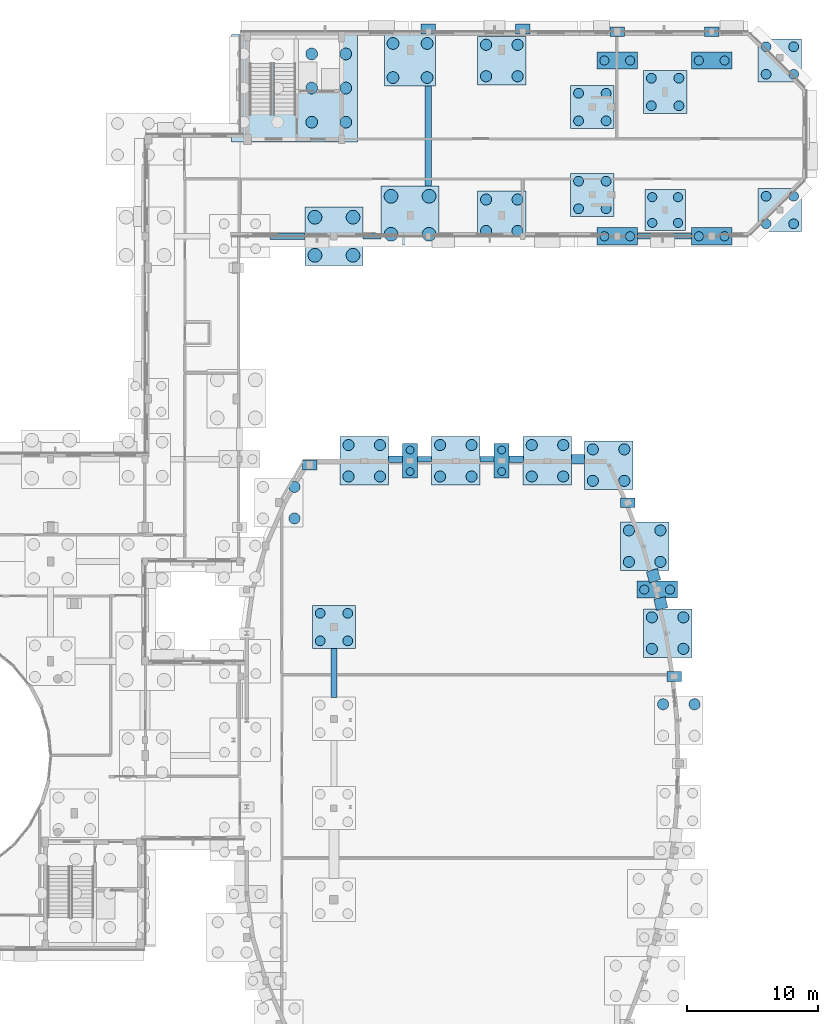
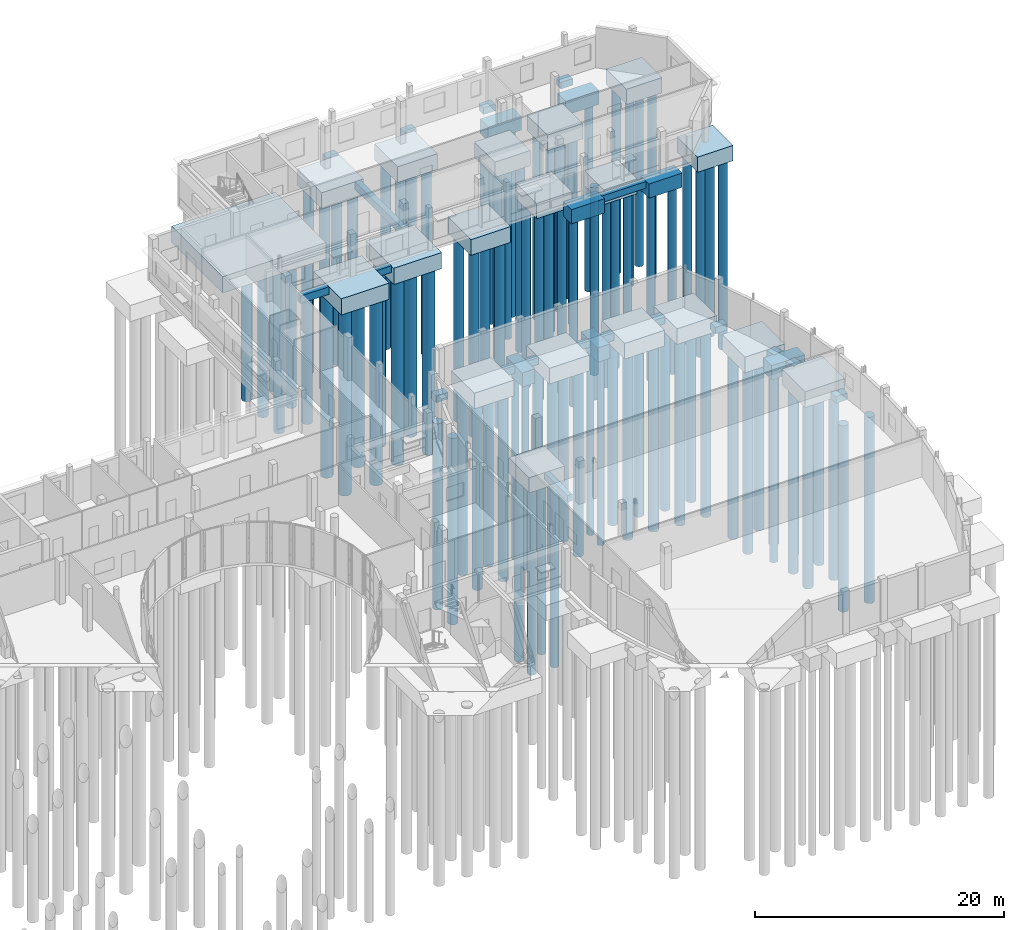
# One storey, part 9 of 93: 96 piles, 45 footings.
"""IFC4 building model written with IfcOpenShell, lengths in metres."""

import ifcopenshell
import ifcopenshell.guid

model = None  # the IFC model being written
_history = None  # IfcOwnerHistory: only IFC2X3 demands one
_inside = {}  # id of a spatial element -> (the spatial element, [elements in it])
_under = {}  # id of a project, library or spatial element -> (it, [spatial elements below it])
_declared = {}  # id of a project -> (the project, [libraries it declares])
_typed = {}  # id of a type object -> (the type object, [elements of that type])
_made_of = {}  # id of a material, layer set ... -> (it, [elements and type objects made of it])


def new_model(schema):
    """Start an empty IFC model of exactly this schema.

    Asked for "IFC4X3", IfcOpenShell would pick the latest addendum, in which some entities
    have other attributes; the version numbers below select the first issue.
    IFC2X3 requires an IfcOwnerHistory on every rooted entity: one is made here for all.
    """
    global model, _history
    if schema == "IFC4X3":
        model = ifcopenshell.file(schema_version=(4, 3, 0, 0))
    else:
        model = ifcopenshell.file(schema=schema)
    _inside.clear()
    _under.clear()
    _declared.clear()
    _typed.clear()
    _made_of.clear()
    _history = None
    if model.schema == "IFC2X3":
        org = make("IfcOrganization", Name="unknown")
        user = make(
            "IfcPersonAndOrganization",
            ThePerson=make("IfcPerson", FamilyName="unknown"),
            TheOrganization=org,
        )
        app = make(
            "IfcApplication",
            ApplicationDeveloper=org,
            Version="unknown",
            ApplicationFullName="unknown",
            ApplicationIdentifier="unknown",
        )
        _history = make(
            "IfcOwnerHistory",
            OwningUser=user,
            OwningApplication=app,
            ChangeAction="ADDED",
            CreationDate=0,
        )
    return model


def make(cls, **values):
    """One entity of the class cls with the attributes given. An attribute that is None is left unset."""
    return model.create_entity(
        cls, **{name: value for name, value in values.items() if value is not None}
    )


def rooted(cls, **values):
    """An entity with a GlobalId (a new one), such as an element, a storey or a relation."""
    return make(cls, GlobalId=ifcopenshell.guid.new(), OwnerHistory=_history, **values)


def si_unit(unit_type, name, prefix=None):
    """IfcSIUnit, for example si_unit("LENGTHUNIT", "METRE", prefix="MILLI")."""
    return make("IfcSIUnit", UnitType=unit_type, Prefix=prefix, Name=name)


def assignment(units):
    """IfcUnitAssignment: the units of a project."""
    return None if units is None else make("IfcUnitAssignment", Units=units)


def point(xyz):
    """IfcCartesianPoint."""
    return None if xyz is None else make("IfcCartesianPoint", Coordinates=xyz)


def direction(xyz):
    """IfcDirection."""
    return None if xyz is None else make("IfcDirection", DirectionRatios=xyz)


def frame(location, z_axis=None, x_axis=None):
    """IfcAxis2Placement3D, a coordinate frame: its origin and axes. An axis left out is left unset."""
    return make(
        "IfcAxis2Placement3D",
        Location=point(location),
        Axis=direction(z_axis),
        RefDirection=direction(x_axis),
    )


def frame_2d(location, x_axis=None):
    """IfcAxis2Placement2D, a coordinate frame in the plane: its origin and x axis."""
    return make(
        "IfcAxis2Placement2D", Location=point(location), RefDirection=direction(x_axis)
    )


def origin():
    """The frame at (0, 0, 0) with its axes left unset."""
    return frame((0.0, 0.0, 0.0))


def origin_2d():
    """The frame at (0, 0) in the plane with its x axis left unset."""
    return frame_2d((0.0, 0.0))


def place(relative_to, where):
    """IfcLocalPlacement: puts the frame where relative to a parent placement (None: the world)."""
    return make(
        "IfcLocalPlacement", PlacementRelTo=relative_to, RelativePlacement=where
    )


def context(
    kind, dimensions, precision=None, world=None, true_north=None, identifier=None
):
    """IfcGeometricRepresentationContext, for example the 3D "Model" context."""
    return make(
        "IfcGeometricRepresentationContext",
        ContextIdentifier=identifier,
        ContextType=kind,
        CoordinateSpaceDimension=dimensions,
        Precision=precision,
        WorldCoordinateSystem=world,
        TrueNorth=true_north,
    )


def subcontext(parent, identifier, kind, view, scale=None):
    """IfcGeometricRepresentationSubContext, for example "Body" below "Model"."""
    return make(
        "IfcGeometricRepresentationSubContext",
        ContextIdentifier=identifier,
        ContextType=kind,
        ParentContext=parent,
        TargetScale=scale,
        TargetView=view,
    )


def project(units=None, contexts=None):
    """IfcProject with its units and contexts."""
    return rooted(
        "IfcProject",
        Name="project",
        RepresentationContexts=contexts,
        UnitsInContext=assignment(units),
    )


def spatial(cls, under=None, at=None, **own):
    """A site, building, storey or space (cls), placed at a placement, below another one or the project."""
    s = rooted(cls, ObjectPlacement=at, **own)
    if under is not None:
        _under.setdefault(under.id(), (under, []))[1].append(s)
    return s


def profile(cls, at=None, kind="AREA", **sizes):
    """A parametric profile (cls). Its sizes go by their IFC names, for example OverallWidth=200.0."""
    return make(cls, ProfileType=kind, Position=at, **sizes)


def rectangle(**sizes):
    """IfcRectangleProfileDef."""
    return profile("IfcRectangleProfileDef", **sizes)


def circle(**sizes):
    """IfcCircleProfileDef."""
    return profile("IfcCircleProfileDef", **sizes)


def extrude(swept, where, along, depth):
    """IfcExtrudedAreaSolid: the profile swept, set in the frame where, extruded along a direction by depth."""
    return make(
        "IfcExtrudedAreaSolid",
        SweptArea=swept,
        Position=where,
        ExtrudedDirection=direction(along),
        Depth=depth,
    )


def shape(context_of_items, identifier, shape_type, items):
    """IfcShapeRepresentation: the items that make up one representation, for example the "Body"."""
    return make(
        "IfcShapeRepresentation",
        ContextOfItems=context_of_items,
        RepresentationIdentifier=identifier,
        RepresentationType=shape_type,
        Items=items,
    )


def material(Name=None, Category=None):
    """IfcMaterial."""
    return make("IfcMaterial", Name=Name, Category=Category)


def material_profile(
    of_material, cross_section, Name=None, Category=None, Priority=None
):
    """IfcMaterialProfile: a cross section and its material."""
    return make(
        "IfcMaterialProfile",
        Name=Name,
        Material=of_material,
        Profile=cross_section,
        Priority=Priority,
        Category=Category,
    )


def profile_set(profiles, Name=None, composite=None):
    """IfcMaterialProfileSet."""
    return make(
        "IfcMaterialProfileSet",
        Name=Name,
        MaterialProfiles=profiles,
        CompositeProfile=composite,
    )


def made_of(thing, what):
    """Note that an element or type object is made of a material, layer set ...; save() writes the relation."""
    if what is not None:
        _made_of.setdefault(what.id(), (what, []))[1].append(thing)
    return thing


def type_object(cls, material=None, **own):
    """A type object (cls), such as IfcWallType, which elements share."""
    return made_of(rooted(cls, **own), material)


def element(
    cls,
    number,
    at=None,
    inside=None,
    cuts=None,
    type_object=None,
    material=None,
    context=None,
    identifier="Body",
    shape_type=None,
    held_by="IfcProductDefinitionShape",
    body=None,
    shapes=None,
    **own,
):
    """One element of the class cls, such as IfcWall. Its Tag is "e" and its number.

    at: its placement. inside: the storey or other place that contains it. cuts: it is an
    opening in that element (IfcRelVoidsElement). A single representation is given by context,
    identifier, shape_type and body (its items); several are given by shapes. held_by: the class
    of the entity that holds the representations. save() writes the other relations.
    """
    e = rooted(cls, Tag="e%d" % number, ObjectPlacement=at, **own)
    if body is not None:
        shapes = [shape(context, identifier, shape_type, body)]
    if shapes is not None:
        e.Representation = make(held_by, Representations=shapes)
    if inside is not None:
        _inside.setdefault(inside.id(), (inside, []))[1].append(e)
    if cuts is not None:
        rooted(
            "IfcRelVoidsElement", RelatingBuildingElement=cuts, RelatedOpeningElement=e
        )
    if type_object is not None:
        _typed.setdefault(type_object.id(), (type_object, []))[1].append(e)
    return made_of(e, material)


def aggregate(whole, parts):
    """IfcRelAggregates: a whole, such as a stair, and the parts it consists of."""
    return rooted("IfcRelAggregates", RelatingObject=whole, RelatedObjects=parts)


def save(model, path):
    """Write the relations noted so far, then the file.

    IfcRelAggregates (storeys below a building ...), IfcRelContainedInSpatialStructure (elements
    in a storey), IfcRelDefinesByType, IfcRelAssociatesMaterial and IfcRelDeclares: one each for
    every whole, place, type object, material and project.
    """
    for whole, parts in _under.values():
        aggregate(whole, parts)
    for where, things in _inside.values():
        rooted(
            "IfcRelContainedInSpatialStructure",
            RelatedElements=things,
            RelatingStructure=where,
        )
    for kind, things in _typed.values():
        rooted("IfcRelDefinesByType", RelatedObjects=things, RelatingType=kind)
    for what, things in _made_of.values():
        rooted("IfcRelAssociatesMaterial", RelatedObjects=things, RelatingMaterial=what)
    for by, libraries in _declared.values():
        rooted("IfcRelDeclares", RelatingContext=by, RelatedDefinitions=libraries)
    model.write(path)


model = new_model("IFC4")

# Units and contexts
model_context = context("Model", 3, precision=1e-05, world=origin(), true_north=direction((0.0, 1.0)))
body_context = subcontext(model_context, "Body", "Model", "MODEL_VIEW")
ifc_project = project(units=[si_unit("LENGTHUNIT", "METRE"), si_unit("AREAUNIT", "SQUARE_METRE"), si_unit("VOLUMEUNIT", "CUBIC_METRE"), si_unit("PLANEANGLEUNIT", "RADIAN"), si_unit("MASSUNIT", "GRAM", prefix="KILO")], contexts=[model_context])

# Site, building, storey
site_placement = place(None, origin())
site = spatial("IfcSite", under=ifc_project, at=site_placement, CompositionType="ELEMENT")
building_placement = place(site_placement, origin())
building = spatial("IfcBuilding", under=site, at=building_placement, Name="Kelanivale Promenade Academy", CompositionType="ELEMENT")
storey_placement = place(building_placement, origin())
storey = spatial("IfcBuildingStorey", under=building, at=storey_placement, Name="L00", CompositionType="ELEMENT", Elevation=0.0)

# Piles
ifc_material = material(Name="Concrete C35/45", Category="concrete")
ifc_material_profile_1 = material_profile(ifc_material, circle(Radius=0.300048828125, at=origin_2d()), Name="BORED PILE D600")
ifc_profile_set_1 = profile_set([ifc_material_profile_1], Name="Concrete C35/45")
pile_type_1 = type_object("IfcPileType", Name="BP-1 BORED PILE D600", PredefinedType="BORED", material=ifc_profile_set_1)
for number, where, z_axis, x_axis, name in (
    (1, (135.801025390625, 78.4599609375, -1.550048828125), (0.0, 0.0, -1.0), (1.0, 0.0, 0.0), "Bored pile FC-159-BP1-P01"),
    (2, (135.801025390625, 80.10009765625, -1.550048828125), (0.0, 0.0, -1.0), (1.0, 0.0, 0.0), "Bored pile FC-159-BP1-P02"),
    (3, (142.787109375, 78.4599609375, -1.550048828125), (0.0, 0.0, -1.0), (1.0, 0.0, 0.0), "Bored pile FC-163-BP1-P01"),
    (4, (142.787109375, 80.10009765625, -1.550048828125), (0.0, 0.0, -1.0), (1.0, 0.0, 0.0), "Bored pile FC-163-BP1-P02"),
):
    element("IfcPile", number, at=place(storey_placement, frame(where, z_axis=z_axis, x_axis=x_axis)), inside=storey, type_object=pile_type_1, Name=name, PredefinedType="BORED", context=body_context, shape_type="SweptSolid", body=[
        extrude(circle(Radius=0.300048828125, at=origin_2d()), origin(), (0.0, 0.0, 1.0), 18.449951171875),
    ])
ifc_material_profile_2 = material_profile(ifc_material, circle(Radius=0.35009765625, at=origin_2d()), Name="BORED PILE D700")
ifc_profile_set_2 = profile_set([ifc_material_profile_2], Name="Concrete C35/45")
pile_type_2 = type_object("IfcPileType", Name="BP-2 BORED PILE D700", PredefinedType="BORED", material=ifc_profile_set_2)
for number, where, z_axis, x_axis, name in (
    (5, (150.6201171875, 96.39990234375, -1.5), (0.0, 0.0, -1.0), (1.0, 0.0, 0.0), "Bored pile FC-172-BP2-P01"),
    (6, (152.580078125, 96.39990234375, -1.5), (0.0, 0.0, -1.0), (1.0, 0.0, 0.0), "Bored pile FC-172-BP2-P02"),
    (7, (150.6201171875, 109.800048828125, -1.5), (0.0, 0.0, -1.0), (1.0, 0.0, 0.0), "Bored pile FC-173-BP2-P01"),
    (8, (152.580078125, 109.800048828125, -1.5), (0.0, 0.0, -1.0), (1.0, 0.0, 0.0), "Bored pile FC-173-BP2-P02"),
):
    element("IfcPile", number, at=place(storey_placement, frame(where, z_axis=z_axis, x_axis=x_axis)), inside=storey, type_object=pile_type_2, Name=name, PredefinedType="BORED", context=body_context, shape_type="SweptSolid", body=[
        extrude(circle(Radius=0.35009765625, at=origin_2d()), origin(), (0.0, 0.0, 1.0), 18.5),
    ])
for number, where, z_axis, x_axis, name in (
    (9, (153.662109375, 69.45703125, -1.550048828125), (0.0, 0.0, -1.0), (1.0, 0.0, 0.0), "Bored pile FC-177-BP2-P01"),
    (10, (155.6220703125, 69.45703125, -1.550048828125), (0.0, 0.0, -1.0), (1.0, 0.0, 0.0), "Bored pile FC-177-BP2-P02"),
    (11, (154.27001953125, 97.419921875, -1.550048828125), (0.0, 0.0, -1.0), (1.0, 0.0, 0.0), "Bored pile FC-178-BP2-P01"),
    (12, (154.27001953125, 99.3798828125, -1.550048828125), (0.0, 0.0, -1.0), (1.0, 0.0, 0.0), "Bored pile FC-178-BP2-P02"),
    (13, (156.22998046875, 97.419921875, -1.550048828125), (0.0, 0.0, -1.0), (1.0, 0.0, 0.0), "Bored pile FC-178-BP2-P03"),
    (14, (156.22998046875, 99.3798828125, -1.550048828125), (0.0, 0.0, -1.0), (1.0, 0.0, 0.0), "Bored pile FC-178-BP2-P04"),
):
    element("IfcPile", number, at=place(storey_placement, frame(where, z_axis=z_axis, x_axis=x_axis)), inside=storey, type_object=pile_type_2, Name=name, PredefinedType="BORED", context=body_context, shape_type="SweptSolid", body=[
        extrude(circle(Radius=0.35009765625, at=origin_2d()), origin(), (0.0, 0.0, 1.0), 18.449951171875),
    ])
for number, where, z_axis, x_axis, name in (
    (15, (157.820068359375, 96.39990234375, -1.5), (0.0, 0.0, -1.0), (1.0, 0.0, 0.0), "Bored pile FC-185-BP2-P01"),
    (16, (159.780029296875, 96.39990234375, -1.5), (0.0, 0.0, -1.0), (1.0, 0.0, 0.0), "Bored pile FC-185-BP2-P02"),
    (17, (157.820068359375, 109.800048828125, -1.5), (0.0, 0.0, -1.0), (1.0, 0.0, 0.0), "Bored pile FC-186-BP2-P01"),
    (18, (159.780029296875, 109.800048828125, -1.5), (0.0, 0.0, -1.0), (1.0, 0.0, 0.0), "Bored pile FC-186-BP2-P02"),
):
    element("IfcPile", number, at=place(storey_placement, frame(where, z_axis=z_axis, x_axis=x_axis)), inside=storey, type_object=pile_type_2, Name=name, PredefinedType="BORED", context=body_context, shape_type="SweptSolid", body=[
        extrude(circle(Radius=0.35009765625, at=origin_2d()), origin(), (0.0, 0.0, 1.0), 18.5),
    ])
ifc_material_profile_3 = material_profile(ifc_material, circle(Radius=0.375, at=origin_2d()), Name="BORED PILE D750")
ifc_profile_set_3 = profile_set([ifc_material_profile_3], Name="Concrete C35/45")
pile_type_3 = type_object("IfcPileType", Name="BP-3 BORED PILE D750", PredefinedType="BORED", material=ifc_profile_set_3)
for number, where, z_axis, x_axis, name in (
    (19, (128.949951171875, 65.550048828125, -1.64990234375), (0.0, 0.0, -1.0), (1.0, 0.0, 0.0), "Bored pile FC-152-BP3-P01"),
    (20, (128.949951171875, 67.64990234375, -1.64990234375), (0.0, 0.0, -1.0), (1.0, 0.0, 0.0), "Bored pile FC-152-BP3-P02"),
    (21, (131.050048828125, 65.550048828125, -1.64990234375), (0.0, 0.0, -1.0), (1.0, 0.0, 0.0), "Bored pile FC-152-BP3-P03"),
    (22, (131.050048828125, 67.64990234375, -1.64990234375), (0.0, 0.0, -1.0), (1.0, 0.0, 0.0), "Bored pile FC-152-BP3-P04"),
):
    element("IfcPile", number, at=place(storey_placement, frame(where, z_axis=z_axis, x_axis=x_axis)), inside=storey, type_object=pile_type_3, Name=name, PredefinedType="BORED", context=body_context, shape_type="SweptSolid", body=[
        extrude(circle(Radius=0.375, at=origin_2d()), origin(), (0.0, 0.0, 1.0), 18.35009765625),
    ])
for number, where, z_axis, x_axis, name in (
    (23, (148.64990234375, 98.5, -1.60009765625), (0.0, 0.0, -1.0), (1.0, 0.0, 0.0), "Bored pile FC-168-BP3-P01"),
    (24, (148.64990234375, 100.60009765625, -1.60009765625), (0.0, 0.0, -1.0), (1.0, 0.0, 0.0), "Bored pile FC-168-BP3-P02"),
    (25, (150.75, 98.5, -1.60009765625), (0.0, 0.0, -1.0), (1.0, 0.0, 0.0), "Bored pile FC-168-BP3-P03"),
    (26, (150.75, 100.60009765625, -1.60009765625), (0.0, 0.0, -1.0), (1.0, 0.0, 0.0), "Bored pile FC-168-BP3-P04"),
    (27, (148.64990234375, 105.199951171875, -1.60009765625), (0.0, 0.0, -1.0), (1.0, 0.0, 0.0), "Bored pile FC-169-BP3-P01"),
    (28, (148.64990234375, 107.300048828125, -1.60009765625), (0.0, 0.0, -1.0), (1.0, 0.0, 0.0), "Bored pile FC-169-BP3-P02"),
    (29, (150.75, 105.199951171875, -1.60009765625), (0.0, 0.0, -1.0), (1.0, 0.0, 0.0), "Bored pile FC-169-BP3-P03"),
    (30, (150.75, 107.300048828125, -1.60009765625), (0.0, 0.0, -1.0), (1.0, 0.0, 0.0), "Bored pile FC-169-BP3-P04"),
    (31, (154.199951171875, 106.35009765625, -1.60009765625), (0.0, 0.0, -1.0), (1.0, 0.0, 0.0), "Bored pile FC-179-BP3-P01"),
    (32, (154.199951171875, 108.449951171875, -1.60009765625), (0.0, 0.0, -1.0), (1.0, 0.0, 0.0), "Bored pile FC-179-BP3-P02"),
    (33, (156.300048828125, 106.35009765625, -1.60009765625), (0.0, 0.0, -1.0), (1.0, 0.0, 0.0), "Bored pile FC-179-BP3-P03"),
    (34, (156.300048828125, 108.449951171875, -1.60009765625), (0.0, 0.0, -1.0), (1.0, 0.0, 0.0), "Bored pile FC-179-BP3-P04"),
):
    element("IfcPile", number, at=place(storey_placement, frame(where, z_axis=z_axis, x_axis=x_axis)), inside=storey, type_object=pile_type_3, Name=name, PredefinedType="BORED", context=body_context, shape_type="SweptSolid", body=[
        extrude(circle(Radius=0.375, at=origin_2d()), origin(), (0.0, 0.0, 1.0), 18.39990234375),
    ])
for number, where, z_axis, x_axis, name in (
    (35, (162.949951171875, 97.35009765625, -1.35009765625), (0.0, 0.0, -1.0), (1.0, 0.0, 0.0), "Bored pile FC-187-BP3-P01"),
    (36, (162.949951171875, 99.449951171875, -1.35009765625), (0.0, 0.0, -1.0), (1.0, 0.0, 0.0), "Bored pile FC-187-BP3-P02"),
    (37, (165.050048828125, 97.35009765625, -1.35009765625), (0.0, 0.0, -1.0), (1.0, 0.0, 0.0), "Bored pile FC-187-BP3-P03"),
    (38, (165.050048828125, 99.449951171875, -1.35009765625), (0.0, 0.0, -1.0), (1.0, 0.0, 0.0), "Bored pile FC-187-BP3-P04"),
):
    element("IfcPile", number, at=place(storey_placement, frame(where, z_axis=z_axis, x_axis=x_axis)), inside=storey, type_object=pile_type_3, Name=name, PredefinedType="BORED", context=body_context, shape_type="SweptSolid", body=[
        extrude(circle(Radius=0.375, at=origin_2d()), origin(), (0.0, 0.0, 1.0), 18.64990234375),
    ])
for number, where, z_axis, x_axis, name in (
    (39, (162.949951171875, 108.75, -1.60009765625), (0.0, 0.0, -1.0), (1.0, 0.0, 0.0), "Bored pile FC-188-BP3-P01"),
    (40, (162.949951171875, 110.85009765625, -1.60009765625), (0.0, 0.0, -1.0), (1.0, 0.0, 0.0), "Bored pile FC-188-BP3-P02"),
    (41, (165.050048828125, 108.75, -1.60009765625), (0.0, 0.0, -1.0), (1.0, 0.0, 0.0), "Bored pile FC-188-BP3-P03"),
    (42, (165.050048828125, 110.85009765625, -1.60009765625), (0.0, 0.0, -1.0), (1.0, 0.0, 0.0), "Bored pile FC-188-BP3-P04"),
):
    element("IfcPile", number, at=place(storey_placement, frame(where, z_axis=z_axis, x_axis=x_axis)), inside=storey, type_object=pile_type_3, Name=name, PredefinedType="BORED", context=body_context, shape_type="SweptSolid", body=[
        extrude(circle(Radius=0.375, at=origin_2d()), origin(), (0.0, 0.0, 1.0), 18.39990234375),
    ])
ifc_material_profile_4 = material_profile(ifc_material, circle(Radius=0.425048828125, at=origin_2d()), Name="BORED PILE D850")
ifc_profile_set_4 = profile_set([ifc_material_profile_4], Name="Concrete C35/45")
pile_type_4 = type_object("IfcPileType", Name="BP-4 BORED PILE D850", PredefinedType="BORED", material=ifc_profile_set_4)
for number, where, z_axis, x_axis, name in (
    (43, (126.989990234375, 74.885986328125, -1.699951171875), (0.0, 0.0, -1.0), (1.0, 0.0, 0.0), "Bored pile FC-148-BP4-P03"),
    (44, (126.989990234375, 77.285888671875, -1.699951171875), (0.0, 0.0, -1.0), (1.0, 0.0, 0.0), "Bored pile FC-148-BP4-P04"),
    (45, (131.10791015625, 78.080078125, -1.699951171875), (0.0, 0.0, -1.0), (1.0, 0.0, 0.0), "Bored pile FC-155-BP4-P01"),
    (46, (131.10791015625, 80.47998046875, -1.699951171875), (0.0, 0.0, -1.0), (1.0, 0.0, 0.0), "Bored pile FC-155-BP4-P02"),
    (47, (133.508056640625, 78.080078125, -1.699951171875), (0.0, 0.0, -1.0), (1.0, 0.0, 0.0), "Bored pile FC-155-BP4-P03"),
    (48, (133.508056640625, 80.47998046875, -1.699951171875), (0.0, 0.0, -1.0), (1.0, 0.0, 0.0), "Bored pile FC-155-BP4-P04"),
    (49, (138.093994140625, 78.080078125, -1.699951171875), (0.0, 0.0, -1.0), (1.0, 0.0, 0.0), "Bored pile FC-161-BP4-P01"),
    (50, (138.093994140625, 80.47998046875, -1.699951171875), (0.0, 0.0, -1.0), (1.0, 0.0, 0.0), "Bored pile FC-161-BP4-P02"),
    (51, (140.493896484375, 78.080078125, -1.699951171875), (0.0, 0.0, -1.0), (1.0, 0.0, 0.0), "Bored pile FC-161-BP4-P03"),
    (52, (140.493896484375, 80.47998046875, -1.699951171875), (0.0, 0.0, -1.0), (1.0, 0.0, 0.0), "Bored pile FC-161-BP4-P04"),
):
    element("IfcPile", number, at=place(storey_placement, frame(where, z_axis=z_axis, x_axis=x_axis)), inside=storey, type_object=pile_type_4, Name=name, PredefinedType="BORED", context=body_context, shape_type="SweptSolid", body=[
        extrude(circle(Radius=0.425048828125, at=origin_2d()), origin(), (0.0, 0.0, 1.0), 18.300048828125),
    ])
for number, where, z_axis, x_axis, name in (
    (53, (141.60009765625, 96.800048828125, -1.64990234375), (0.0, 0.0, -1.0), (1.0, 0.0, 0.0), "Bored pile FC-164-BP4-P01"),
    (54, (141.60009765625, 99.199951171875, -1.64990234375), (0.0, 0.0, -1.0), (1.0, 0.0, 0.0), "Bored pile FC-164-BP4-P02"),
    (55, (144.0, 96.800048828125, -1.64990234375), (0.0, 0.0, -1.0), (1.0, 0.0, 0.0), "Bored pile FC-164-BP4-P03"),
    (56, (144.0, 99.199951171875, -1.64990234375), (0.0, 0.0, -1.0), (1.0, 0.0, 0.0), "Bored pile FC-164-BP4-P04"),
    (57, (141.60009765625, 108.60009765625, -1.64990234375), (0.0, 0.0, -1.0), (1.0, 0.0, 0.0), "Bored pile FC-165-BP4-P01"),
    (58, (141.60009765625, 111.0, -1.64990234375), (0.0, 0.0, -1.0), (1.0, 0.0, 0.0), "Bored pile FC-165-BP4-P02"),
    (59, (144.0, 108.60009765625, -1.64990234375), (0.0, 0.0, -1.0), (1.0, 0.0, 0.0), "Bored pile FC-165-BP4-P03"),
    (60, (144.0, 111.0, -1.64990234375), (0.0, 0.0, -1.0), (1.0, 0.0, 0.0), "Bored pile FC-165-BP4-P04"),
):
    element("IfcPile", number, at=place(storey_placement, frame(where, z_axis=z_axis, x_axis=x_axis)), inside=storey, type_object=pile_type_4, Name=name, PredefinedType="BORED", context=body_context, shape_type="SweptSolid", body=[
        extrude(circle(Radius=0.425048828125, at=origin_2d()), origin(), (0.0, 0.0, 1.0), 18.35009765625),
    ])
for number, where, z_axis, x_axis, name in (
    (61, (145.080078125, 78.080078125, -1.699951171875), (0.0, 0.0, -1.0), (1.0, 0.0, 0.0), "Bored pile FC-167-BP4-P01"),
    (62, (145.080078125, 80.47998046875, -1.699951171875), (0.0, 0.0, -1.0), (1.0, 0.0, 0.0), "Bored pile FC-167-BP4-P02"),
    (63, (147.47998046875, 78.080078125, -1.699951171875), (0.0, 0.0, -1.0), (1.0, 0.0, 0.0), "Bored pile FC-167-BP4-P03"),
    (64, (147.47998046875, 80.47998046875, -1.699951171875), (0.0, 0.0, -1.0), (1.0, 0.0, 0.0), "Bored pile FC-167-BP4-P04"),
    (65, (149.738037109375, 77.75, -1.699951171875), (0.0, 0.0, -1.0), (1.0, 0.0, 0.0), "Bored pile FC-171-BP4-P01"),
    (66, (149.738037109375, 80.14990234375, -1.699951171875), (0.0, 0.0, -1.0), (1.0, 0.0, 0.0), "Bored pile FC-171-BP4-P02"),
    (67, (152.137939453125, 77.75, -1.699951171875), (0.0, 0.0, -1.0), (1.0, 0.0, 0.0), "Bored pile FC-171-BP4-P03"),
    (68, (152.137939453125, 80.14990234375, -1.699951171875), (0.0, 0.0, -1.0), (1.0, 0.0, 0.0), "Bored pile FC-171-BP4-P04"),
    (69, (152.489013671875, 71.571044921875, -1.699951171875), (0.0, 0.0, -1.0), (1.0, 0.0, 0.0), "Bored pile FC-175-BP4-P01"),
    (70, (152.489013671875, 73.970947265625, -1.699951171875), (0.0, 0.0, -1.0), (1.0, 0.0, 0.0), "Bored pile FC-175-BP4-P02"),
    (71, (154.888916015625, 71.571044921875, -1.699951171875), (0.0, 0.0, -1.0), (1.0, 0.0, 0.0), "Bored pile FC-175-BP4-P03"),
    (72, (154.888916015625, 73.970947265625, -1.699951171875), (0.0, 0.0, -1.0), (1.0, 0.0, 0.0), "Bored pile FC-175-BP4-P04"),
    (73, (154.240966796875, 64.943115234375, -1.699951171875), (0.0, 0.0, -1.0), (1.0, 0.0, 0.0), "Bored pile FC-181-BP4-P01"),
    (74, (154.240966796875, 67.343017578125, -1.699951171875), (0.0, 0.0, -1.0), (1.0, 0.0, 0.0), "Bored pile FC-181-BP4-P02"),
    (75, (156.64111328125, 64.943115234375, -1.699951171875), (0.0, 0.0, -1.0), (1.0, 0.0, 0.0), "Bored pile FC-181-BP4-P03"),
    (76, (156.64111328125, 67.343017578125, -1.699951171875), (0.0, 0.0, -1.0), (1.0, 0.0, 0.0), "Bored pile FC-181-BP4-P04"),
    (77, (155.093994140625, 60.714111328125, -1.699951171875), (0.0, 0.0, -1.0), (1.0, 0.0, 0.0), "Bored pile FC-184-BP4-P02"),
    (78, (157.493896484375, 60.714111328125, -1.699951171875), (0.0, 0.0, -1.0), (1.0, 0.0, 0.0), "Bored pile FC-184-BP4-P04"),
):
    element("IfcPile", number, at=place(storey_placement, frame(where, z_axis=z_axis, x_axis=x_axis)), inside=storey, type_object=pile_type_4, Name=name, PredefinedType="BORED", context=body_context, shape_type="SweptSolid", body=[
        extrude(circle(Radius=0.425048828125, at=origin_2d()), origin(), (0.0, 0.0, 1.0), 18.300048828125),
    ])
ifc_material_profile_5 = material_profile(ifc_material, circle(Radius=0.449951171875, at=origin_2d()), Name="BORED PILE D900")
ifc_profile_set_5 = profile_set([ifc_material_profile_5], Name="Concrete C35/45")
pile_type_5 = type_object("IfcPileType", Name="BP-5 BORED PILE D900", PredefinedType="BORED", material=ifc_profile_set_5)
for number, where, z_axis, x_axis, name in (
    (79, (128.300048828125, 105.10009765625, -3.300048828125), (0.0, 0.0, -1.0), (1.0, 0.0, 0.0), "Bored pile FC-CORE-05-BP5-P07"),
    (80, (128.300048828125, 107.699951171875, -3.300048828125), (0.0, 0.0, -1.0), (1.0, 0.0, 0.0), "Bored pile FC-CORE-05-BP5-P08"),
    (81, (128.300048828125, 110.300048828125, -3.300048828125), (0.0, 0.0, -1.0), (1.0, 0.0, 0.0), "Bored pile FC-CORE-05-BP5-P09"),
    (82, (130.89990234375, 105.10009765625, -3.300048828125), (0.0, 0.0, -1.0), (1.0, 0.0, 0.0), "Bored pile FC-CORE-05-BP5-P10"),
    (83, (130.89990234375, 107.699951171875, -3.300048828125), (0.0, 0.0, -1.0), (1.0, 0.0, 0.0), "Bored pile FC-CORE-05-BP5-P11"),
    (84, (130.89990234375, 110.300048828125, -3.300048828125), (0.0, 0.0, -1.0), (1.0, 0.0, 0.0), "Bored pile FC-CORE-05-BP5-P12"),
):
    element("IfcPile", number, at=place(storey_placement, frame(where, z_axis=z_axis, x_axis=x_axis)), inside=storey, type_object=pile_type_5, Name=name, PredefinedType="BORED", context=body_context, shape_type="SweptSolid", body=[
        extrude(circle(Radius=0.449951171875, at=origin_2d()), origin(), (0.0, 0.0, 1.0), 16.699951171875),
    ])
for number, where, z_axis, x_axis, name in (
    (85, (134.5, 108.5, -1.699951171875), (0.0, 0.0, -1.0), (1.0, 0.0, 0.0), "Bored pile FC-157-BP5-P01"),
    (86, (134.5, 111.10009765625, -1.699951171875), (0.0, 0.0, -1.0), (1.0, 0.0, 0.0), "Bored pile FC-157-BP5-P02"),
    (87, (137.10009765625, 108.5, -1.699951171875), (0.0, 0.0, -1.0), (1.0, 0.0, 0.0), "Bored pile FC-157-BP5-P03"),
    (88, (137.10009765625, 111.10009765625, -1.699951171875), (0.0, 0.0, -1.0), (1.0, 0.0, 0.0), "Bored pile FC-157-BP5-P04"),
):
    element("IfcPile", number, at=place(storey_placement, frame(where, z_axis=z_axis, x_axis=x_axis)), inside=storey, type_object=pile_type_5, Name=name, PredefinedType="BORED", context=body_context, shape_type="SweptSolid", body=[
        extrude(circle(Radius=0.449951171875, at=origin_2d()), origin(), (0.0, 0.0, 1.0), 18.300048828125),
    ])
ifc_material_profile_6 = material_profile(ifc_material, circle(Radius=0.52490234375, at=origin_2d()), Name="BORED PILE D1050")
ifc_profile_set_6 = profile_set([ifc_material_profile_6], Name="Concrete C35/45")
pile_type_6 = type_object("IfcPileType", Name="BP-6 BORED PILE D1050", PredefinedType="BORED", material=ifc_profile_set_6)
for number, where, z_axis, x_axis, name in (
    (89, (128.550048828125, 94.949951171875, -1.699951171875), (0.0, 0.0, -1.0), (1.0, 0.0, 0.0), "Bored pile FC-153-BP6-P01"),
    (90, (128.550048828125, 97.85009765625, -1.699951171875), (0.0, 0.0, -1.0), (1.0, 0.0, 0.0), "Bored pile FC-153-BP6-P02"),
    (91, (131.449951171875, 94.949951171875, -1.699951171875), (0.0, 0.0, -1.0), (1.0, 0.0, 0.0), "Bored pile FC-153-BP6-P03"),
    (92, (131.449951171875, 97.85009765625, -1.699951171875), (0.0, 0.0, -1.0), (1.0, 0.0, 0.0), "Bored pile FC-153-BP6-P04"),
    (93, (134.35009765625, 96.550048828125, -1.699951171875), (0.0, 0.0, -1.0), (1.0, 0.0, 0.0), "Bored pile FC-156-BP6-P01"),
    (94, (134.35009765625, 99.449951171875, -1.699951171875), (0.0, 0.0, -1.0), (1.0, 0.0, 0.0), "Bored pile FC-156-BP6-P02"),
    (95, (137.25, 96.550048828125, -1.699951171875), (0.0, 0.0, -1.0), (1.0, 0.0, 0.0), "Bored pile FC-156-BP6-P03"),
    (96, (137.25, 99.449951171875, -1.699951171875), (0.0, 0.0, -1.0), (1.0, 0.0, 0.0), "Bored pile FC-156-BP6-P04"),
):
    element("IfcPile", number, at=place(storey_placement, frame(where, z_axis=z_axis, x_axis=x_axis)), inside=storey, type_object=pile_type_6, Name=name, PredefinedType="BORED", context=body_context, shape_type="SweptSolid", body=[
        extrude(circle(Radius=0.52490234375, at=origin_2d()), origin(), (0.0, 0.0, 1.0), 18.300048828125),
    ])

# Footings
footing_type_1 = type_object("IfcFootingType", Name="GB-01 450x650", PredefinedType="FOOTING_BEAM", material=ifc_material)
for number, where, z_axis, x_axis, name in (
    (97, (136.909912109375, 79.39990234375, -0.949951171875), (0.0, 0.0, 1.0), (1.0, 0.0, 0.0), "Ground beam GB-109"),
    (98, (141.677978515625, 79.39990234375, -0.949951171875), (0.0, 0.0, 1.0), (1.0, 0.0, 0.0), "Ground beam GB-110"),
):
    element("IfcFooting", number, at=place(storey_placement, frame(where, z_axis=z_axis, x_axis=x_axis)), inside=storey, type_object=footing_type_1, Name=name, PredefinedType="FOOTING_BEAM", context=body_context, shape_type="SweptSolid", body=[
        extrude(rectangle(XDim=1.077880859375, YDim=0.449951171875, at=origin_2d()), origin(), (0.0, 0.0, 1.0), 0.64990234375),
    ])
footing_1_placement = place(storey_placement, frame((132.89990234375, 96.39990234375, -0.89990234375), z_axis=(0.0, 0.0, 1.0), x_axis=(1.0, 0.0, 0.0)))
element("IfcFooting", 99, at=footing_1_placement, inside=storey, type_object=footing_type_1, Name="Ground beam GB-115", PredefinedType="FOOTING_BEAM", context=body_context, shape_type="SweptSolid", body=[
    extrude(rectangle(XDim=1.360107421875, YDim=0.449951171875, at=origin_2d()), origin(), (0.0, 0.0, 1.0), 0.64990234375),
])
footing_2_placement = place(storey_placement, frame((155.199951171875, 96.39990234375, -0.89990234375), z_axis=(0.0, 0.0, 1.0), x_axis=(1.0, 0.0, 0.0)))
element("IfcFooting", 100, at=footing_2_placement, inside=storey, type_object=footing_type_1, Name="Ground beam GB-116", PredefinedType="FOOTING_BEAM", context=body_context, shape_type="SweptSolid", body=[
    extrude(rectangle(XDim=4.110107421875, YDim=0.449951171875, at=origin_2d()), origin(), (0.0, 0.0, 1.0), 0.64990234375),
])
footing_3_placement = place(storey_placement, frame((130.0, 63.10009765625, -0.949951171875), z_axis=(0.0, 0.0, 1.0), x_axis=(0.0, 1.0, 0.0)))
element("IfcFooting", 101, at=footing_3_placement, inside=storey, type_object=footing_type_1, Name="Ground beam GB-191", PredefinedType="FOOTING_BEAM", context=body_context, shape_type="SweptSolid", body=[
    extrude(rectangle(XDim=3.7099609375, YDim=0.449951171875, at=origin_2d()), origin(), (0.0, 0.0, 1.0), 0.64990234375),
])
footing_type_2 = type_object("IfcFootingType", Name="GB-02 500x750", PredefinedType="FOOTING_BEAM", material=ifc_material)
for number, where, z_axis, x_axis, name in (
    (102, (134.69189453125, 79.39990234375, -1.050048828125), (0.0, 0.0, 1.0), (1.0, 0.0, 0.0), "Ground beam GB-108"),
    (103, (143.89599609375, 79.39990234375, -1.050048828125), (0.0, 0.0, 1.0), (1.0, 0.0, 0.0), "Ground beam GB-111"),
):
    element("IfcFooting", number, at=place(storey_placement, frame(where, z_axis=z_axis, x_axis=x_axis)), inside=storey, type_object=footing_type_2, Name=name, PredefinedType="FOOTING_BEAM", context=body_context, shape_type="SweptSolid", body=[
        extrude(rectangle(XDim=1.077880859375, YDim=0.5, at=origin_2d()), origin(), (0.0, 0.0, 1.0), 0.75),
    ])
footing_4_placement = place(storey_placement, frame((126.449951171875, 96.39990234375, -1.0), z_axis=(0.0, 0.0, 1.0), x_axis=(1.0, 0.0, 0.0)))
element("IfcFooting", 104, at=footing_4_placement, inside=storey, type_object=footing_type_2, Name="Ground beam GB-114", PredefinedType="FOOTING_BEAM", context=body_context, shape_type="SweptSolid", body=[
    extrude(rectangle(XDim=2.659912109375, YDim=0.5, at=origin_2d()), origin(), (0.0, 0.0, 1.0), 0.75),
])
footing_5_placement = place(storey_placement, frame((137.199951171875, 104.037109375, -1.0), z_axis=(0.0, 0.0, 1.0), x_axis=(0.0, 1.0, 0.0)))
element("IfcFooting", 105, at=footing_5_placement, inside=storey, type_object=footing_type_2, Name="Ground beam GB-192", PredefinedType="FOOTING_BEAM", context=body_context, shape_type="SweptSolid", body=[
    extrude(rectangle(XDim=7.635009765625, YDim=0.5, at=origin_2d()), origin(), (0.0, 0.0, 1.0), 0.75),
])
footing_type_3 = type_object("IfcFootingType", Name="PC-01 Pile Cap 2650x1150x1400", PredefinedType="PILE_CAP", material=ifc_material)
for number, where, z_axis, x_axis, name in (
    (106, (135.801025390625, 79.280029296875, -1.699951171875), (0.0, 0.0, 1.0), (0.0, 1.0, 0.0), "Pile cap FC-159"),
    (107, (142.787109375, 79.280029296875, -1.699951171875), (0.0, 0.0, 1.0), (0.0, 1.0, 0.0), "Pile cap FC-163"),
):
    element("IfcFooting", number, at=place(storey_placement, frame(where, z_axis=z_axis, x_axis=x_axis)), inside=storey, type_object=footing_type_3, Name=name, PredefinedType="PILE_CAP", context=body_context, shape_type="SweptSolid", body=[
        extrude(rectangle(XDim=2.64990234375, YDim=1.14990234375, at=origin_2d()), origin(), (0.0, 0.0, 1.0), 1.39990234375),
    ])
footing_type_4 = type_object("IfcFootingType", Name="PC-03 Pile Cap 3100x1300x1400", PredefinedType="PILE_CAP", material=ifc_material)
for number, where, z_axis, x_axis, name in (
    (108, (151.60009765625, 96.39990234375, -1.64990234375), (0.0, 0.0, 1.0), (1.0, 0.0, 0.0), "Pile cap FC-172"),
    (109, (151.60009765625, 109.800048828125, -1.64990234375), (0.0, 0.0, 1.0), (1.0, 0.0, 0.0), "Pile cap FC-173"),
    (110, (154.64208984375, 69.45703125, -1.699951171875), (0.0, 0.0, 1.0), (1.0, 0.0, 0.0), "Pile cap FC-177"),
    (111, (158.800048828125, 96.39990234375, -1.64990234375), (0.0, 0.0, 1.0), (1.0, 0.0, 0.0), "Pile cap FC-185"),
    (112, (158.800048828125, 109.800048828125, -1.64990234375), (0.0, 0.0, 1.0), (1.0, 0.0, 0.0), "Pile cap FC-186"),
):
    element("IfcFooting", number, at=place(storey_placement, frame(where, z_axis=z_axis, x_axis=x_axis)), inside=storey, type_object=footing_type_4, Name=name, PredefinedType="PILE_CAP", context=body_context, shape_type="SweptSolid", body=[
        extrude(rectangle(XDim=3.10009765625, YDim=1.300048828125, at=origin_2d()), origin(), (0.0, 0.0, 1.0), 1.39990234375),
    ])
footing_type_5 = type_object("IfcFootingType", Name="PC-04 Pile Cap 3100x3100x1450", PredefinedType="PILE_CAP", material=ifc_material)
footing_6_placement = place(storey_placement, frame((155.25, 98.39990234375, -1.7001953125), z_axis=(0.0, 0.0, 1.0), x_axis=(1.0, 0.0, 0.0)))
element("IfcFooting", 113, at=footing_6_placement, inside=storey, type_object=footing_type_5, Name="Pile cap FC-178", PredefinedType="PILE_CAP", context=body_context, shape_type="SweptSolid", body=[
    extrude(rectangle(XDim=3.10009765625, YDim=3.10009765625, at=origin_2d()), origin(), (0.0, 0.0, 1.0), 1.449951171875),
])
footing_type_6 = type_object("IfcFootingType", Name="PC-05 Pile Cap 3300x3300x1500", PredefinedType="PILE_CAP", material=ifc_material)
for number, where, z_axis, x_axis, name in (
    (114, (130.0, 66.60009765625, -1.800048828125), (0.0, 0.0, 1.0), (1.0, 0.0, 0.0), "Pile cap FC-152"),
    (115, (149.699951171875, 99.550048828125, -1.75), (0.0, 0.0, 1.0), (1.0, 0.0, 0.0), "Pile cap FC-168"),
    (116, (149.699951171875, 106.25, -1.75), (0.0, 0.0, 1.0), (1.0, 0.0, 0.0), "Pile cap FC-169"),
    (117, (155.25, 107.39990234375, -1.75), (0.0, 0.0, 1.0), (1.0, 0.0, 0.0), "Pile cap FC-179"),
    (118, (164.0, 98.39990234375, -1.5), (0.0, 0.0, 1.0), (1.0, 0.0, 0.0), "Pile cap FC-187"),
    (119, (164.0, 109.800048828125, -1.75), (0.0, 0.0, 1.0), (1.0, 0.0, 0.0), "Pile cap FC-188"),
):
    element("IfcFooting", number, at=place(storey_placement, frame(where, z_axis=z_axis, x_axis=x_axis)), inside=storey, type_object=footing_type_6, Name=name, PredefinedType="PILE_CAP", context=body_context, shape_type="SweptSolid", body=[
        extrude(rectangle(XDim=3.300048828125, YDim=3.300048828125, at=origin_2d()), origin(), (0.0, 0.0, 1.0), 1.5),
    ])
footing_type_7 = type_object("IfcFootingType", Name="PC-07 Pile Cap 3700x3700x1550", PredefinedType="PILE_CAP", material=ifc_material)
for number, where, z_axis, x_axis, name in (
    (120, (132.30810546875, 79.280029296875, -1.85009765625), (0.0, 0.0, 1.0), (1.0, 0.0, 0.0), "Pile cap FC-155"),
    (121, (139.2939453125, 79.280029296875, -1.85009765625), (0.0, 0.0, 1.0), (1.0, 0.0, 0.0), "Pile cap FC-161"),
    (122, (142.800048828125, 98.0, -1.7998046875), (0.0, 0.0, 1.0), (1.0, 0.0, 0.0), "Pile cap FC-164"),
    (123, (142.800048828125, 109.800048828125, -1.7998046875), (0.0, 0.0, 1.0), (1.0, 0.0, 0.0), "Pile cap FC-165"),
    (124, (146.280029296875, 79.280029296875, -1.85009765625), (0.0, 0.0, 1.0), (1.0, 0.0, 0.0), "Pile cap FC-167"),
    (125, (150.93798828125, 78.949951171875, -1.85009765625), (0.0, 0.0, 1.0), (1.0, 0.0, 0.0), "Pile cap FC-171"),
    (126, (153.68896484375, 72.77099609375, -1.85009765625), (0.0, 0.0, 1.0), (1.0, 0.0, 0.0), "Pile cap FC-175"),
    (127, (155.44091796875, 66.14306640625, -1.85009765625), (0.0, 0.0, 1.0), (1.0, 0.0, 0.0), "Pile cap FC-181"),
):
    element("IfcFooting", number, at=place(storey_placement, frame(where, z_axis=z_axis, x_axis=x_axis)), inside=storey, type_object=footing_type_7, Name=name, PredefinedType="PILE_CAP", context=body_context, shape_type="SweptSolid", body=[
        extrude(rectangle(XDim=3.699951171875, YDim=3.699951171875, at=origin_2d()), origin(), (0.0, 0.0, 1.0), 1.550048828125),
    ])
footing_type_8 = type_object("IfcFootingType", Name="PC-09 Pile Cap 3900x3900x1600", PredefinedType="PILE_CAP", material=ifc_material)
footing_7_placement = place(storey_placement, frame((135.800048828125, 109.800048828125, -1.85009765625), z_axis=(0.0, 0.0, 1.0), x_axis=(1.0, 0.0, 0.0)))
element("IfcFooting", 128, at=footing_7_placement, inside=storey, type_object=footing_type_8, Name="Pile cap FC-157", PredefinedType="PILE_CAP", context=body_context, shape_type="SweptSolid", body=[
    extrude(rectangle(XDim=3.89990234375, YDim=3.89990234375, at=origin_2d()), origin(), (0.0, 0.0, 1.0), 1.60009765625),
])
footing_type_9 = type_object("IfcFootingType", Name="PC-11 Pile Cap 4450x4450x1600", PredefinedType="PILE_CAP", material=ifc_material)
for number, where, z_axis, x_axis, name in (
    (129, (130.0, 96.39990234375, -1.85009765625), (0.0, 0.0, 1.0), (1.0, 0.0, 0.0), "Pile cap FC-153"),
    (130, (135.800048828125, 98.0, -1.85009765625), (0.0, 0.0, 1.0), (1.0, 0.0, 0.0), "Pile cap FC-156"),
):
    element("IfcFooting", number, at=place(storey_placement, frame(where, z_axis=z_axis, x_axis=x_axis)), inside=storey, type_object=footing_type_9, Name=name, PredefinedType="PILE_CAP", context=body_context, shape_type="SweptSolid", body=[
        extrude(rectangle(XDim=4.449951171875, YDim=4.449951171875, at=origin_2d()), origin(), (0.0, 0.0, 1.0), 1.60009765625),
    ])
footing_type_10 = type_object("IfcFootingType", Name="PC-C1 Pile Cap 9600x8200x1600", PredefinedType="PILE_CAP", material=ifc_material)
footing_8_placement = place(storey_placement, frame((127.0, 107.699951171875, -3.449951171875), z_axis=(0.0, 0.0, 1.0), x_axis=(1.0, 0.0, 0.0)))
element("IfcFooting", 131, at=footing_8_placement, inside=storey, type_object=footing_type_10, Name="Pile cap FC-CORE-05", PredefinedType="PILE_CAP", context=body_context, shape_type="SweptSolid", body=[
    extrude(rectangle(XDim=9.60009765625, YDim=8.199951171875, at=origin_2d()), origin(), (0.0, 0.0, 1.0), 1.60009765625),
])
footing_type_11 = type_object("IfcFootingType", Name="SF-01 750x650", PredefinedType="STRIP_FOOTING", material=ifc_material)
for number, where, z_axis, x_axis, name in (
    (132, (128.14990234375, 78.949951171875, -0.949951171875), (0.0, 0.0, 1.0), (1.0, 0.0, 0.0), "Column pad footing FPAD-021"),
    (133, (137.199951171875, 112.199951171875, -0.89990234375), (0.0, 0.0, 1.0), (1.0, 0.0, 0.0), "Column pad footing FPAD-022"),
    (134, (144.39990234375, 112.199951171875, -0.89990234375), (0.0, 0.0, 1.0), (1.0, 0.0, 0.0), "Column pad footing FPAD-023"),
    (135, (151.60009765625, 112.0, -0.89990234375), (0.0, 0.0, 1.0), (1.0, 0.0, 0.0), "Column pad footing FPAD-024"),
    (136, (152.406982421875, 76.0859375, -0.949951171875), (0.0, 0.0, 1.0), (1.0, 0.0, 0.0), "Column pad footing FPAD-026"),
    (137, (155.93603515625, 62.8291015625, -0.949951171875), (0.0, 0.0, 1.0), (1.0, 0.0, 0.0), "Column pad footing FPAD-027"),
    (138, (158.800048828125, 112.0, -0.89990234375), (0.0, 0.0, 1.0), (1.0, 0.0, 0.0), "Column pad footing FPAD-029"),
):
    element("IfcFooting", number, at=place(storey_placement, frame(where, z_axis=z_axis, x_axis=x_axis)), inside=storey, type_object=footing_type_11, Name=name, PredefinedType="STRIP_FOOTING", context=body_context, shape_type="SweptSolid", body=[
        extrude(rectangle(XDim=1.10009765625, YDim=0.75, at=origin_2d()), origin(), (0.0, 0.0, 1.0), 0.64990234375),
    ])
footing_9_placement = place(storey_placement, frame((148.60888671875, 79.39990234375, -0.949951171875), z_axis=(0.0, 0.0, 1.0), x_axis=(1.0, 0.0, 0.0)))
element("IfcFooting", 139, at=footing_9_placement, inside=storey, type_object=footing_type_11, Name="Ground beam GB-112", PredefinedType="STRIP_FOOTING", context=body_context, shape_type="SweptSolid", body=[
    extrude(rectangle(XDim=0.968017578125, YDim=0.75, at=origin_2d()), origin(), (0.0, 0.0, 1.0), 0.64990234375),
])
footing_type_12 = type_object("IfcFootingType", Name="SF-02 900x700", PredefinedType="STRIP_FOOTING", material=ifc_material)
footing_10_placement = place(storey_placement, frame((154.924072265625, 68.39990234375, -1.0), z_axis=(0.0, 0.0, 1.0), x_axis=(-0.223250116011, 0.974761194191, 0.0)))
element("IfcFooting", 140, at=footing_10_placement, inside=storey, type_object=footing_type_12, Name="Curved ring foundation beam GB-017", PredefinedType="STRIP_FOOTING", context=body_context, shape_type="SweptSolid", body=[
    extrude(rectangle(XDim=0.864990234375, YDim=0.89990234375, at=origin_2d()), origin(), (0.0, 0.0, 1.0), 0.699951171875),
])
footing_11_placement = place(storey_placement, frame((154.364990234375, 70.513916015625, -1.0), z_axis=(0.0, 0.0, 1.0), x_axis=(-0.287026159226, 0.957922744234, 0.0)))
element("IfcFooting", 141, at=footing_11_placement, inside=storey, type_object=footing_type_12, Name="Curved ring foundation beam GB-018", PredefinedType="STRIP_FOOTING", context=body_context, shape_type="SweptSolid", body=[
    extrude(rectangle(XDim=0.8798828125, YDim=0.89990234375, at=origin_2d()), origin(), (0.0, 0.0, 1.0), 0.699951171875),
])

save(model, "model.ifc")
